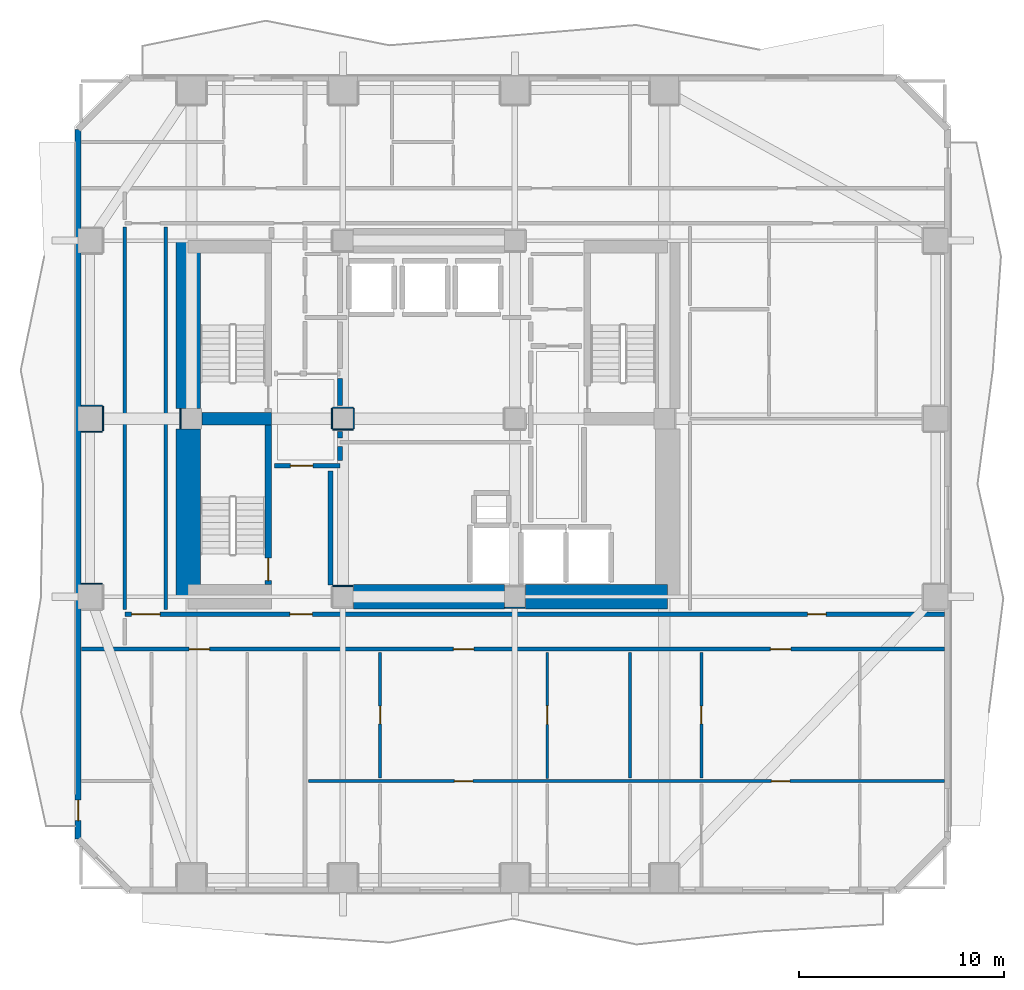
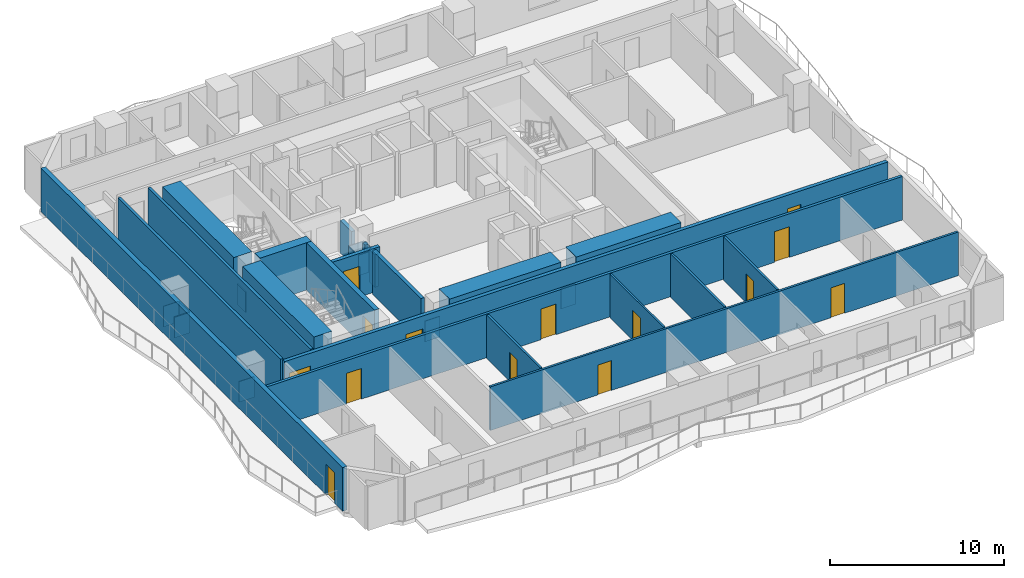
# One storey, part 3 of 10: 32 walls, 14 doors, 14 openings.
"""IFC4 building model written with IfcOpenShell, lengths in metres."""

from ifc_helpers import new_model, si_unit, direction, frame, frame_2d, origin, place, context, subcontext, project, spatial, rectangle, extrude, material, layer, layer_set, type_object, element, fill, save


model = new_model("IFC4")

# Units and contexts
model_context = context("Model", 3, precision=1e-05, world=origin(), true_north=direction((0.0, 1.0)))
body_context = subcontext(model_context, "Body", "Model", "MODEL_VIEW")
ifc_project = project(units=[si_unit("LENGTHUNIT", "METRE"), si_unit("AREAUNIT", "SQUARE_METRE"), si_unit("VOLUMEUNIT", "CUBIC_METRE"), si_unit("PLANEANGLEUNIT", "RADIAN"), si_unit("MASSUNIT", "GRAM", prefix="KILO")], contexts=[model_context])

# Site, building, storey
site_placement = place(None, origin())
site = spatial("IfcSite", under=ifc_project, at=site_placement, CompositionType="ELEMENT")
building_placement = place(site_placement, origin())
building = spatial("IfcBuilding", under=site, at=building_placement, Name="Solanera Arch Residences", CompositionType="ELEMENT")
storey_placement = place(building_placement, frame((0.0, 0.0, 51.8798828125)))
storey = spatial("IfcBuildingStorey", under=building, at=storey_placement, Name="L14", CompositionType="ELEMENT", Elevation=51.8798828125)

# Walls
ifc_material_1 = material(Name="Fire-Rated Gypsum Stud Partition", Category="gypsum")
ifc_layer_1 = layer(ifc_material_1, 0.06005859375)
ifc_layer_set_1 = layer_set([ifc_layer_1], Name="Fire-Rated Gypsum Stud Partition")
wall_type_1 = type_object("IfcWallType", Name="Column Acoustic Furring Wall 60", PredefinedType="PARTITIONING", material=ifc_layer_set_1)
wall_1_placement = place(storey_placement, frame((20.300048828125, 22.531982421875, 0.0), z_axis=(0.0, 0.0, 1.0), x_axis=(1.0, 0.0, 0.0)))
element("IfcWall", 1, at=wall_1_placement, inside=storey, type_object=wall_type_1, Name="L14 Column Furring 1N", PredefinedType="PARTITIONING", context=body_context, shape_type="SweptSolid", body=[
    extrude(rectangle(XDim=0.989990234375, YDim=0.06005859375, at=frame_2d((0.4951171875, 0.0))), origin(), (0.0, 0.0, 1.0), 1.4501953125),
])
for number, where, z_axis, x_axis, name in (
    (2, (28.7099609375, 21.468017578125, 0.0), (0.0, 0.0, 1.0), (1.0, 0.0, 0.0), "L14 Column Furring 2S"),
    (3, (12.867919921875, 30.2099609375, 0.0), (0.0, 0.0, 1.0), (0.0, 1.0, 0.0), "L14 Column Furring 5W"),
):
    element("IfcWall", number, at=place(storey_placement, frame(where, z_axis=z_axis, x_axis=x_axis)), inside=storey, type_object=wall_type_1, Name=name, PredefinedType="PARTITIONING", context=body_context, shape_type="SweptSolid", body=[
        extrude(rectangle(XDim=0.97998046875, YDim=0.06005859375, at=frame_2d((0.489990234375, 0.0))), origin(), (0.0, 0.0, 1.0), 1.4501953125),
    ])
for number, where, z_axis, x_axis, name in (
    (4, (20.300048828125, 30.16796875, 0.0), (0.0, 0.0, 1.0), (1.0, 0.0, 0.0), "L14 Column Furring 7S"),
    (5, (20.300048828125, 31.23193359375, 0.0), (0.0, 0.0, 1.0), (1.0, 0.0, 0.0), "L14 Column Furring 7N"),
    (6, (20.26806640625, 30.199951171875, 0.0), (0.0, 0.0, 1.0), (0.0, 1.0, 0.0), "L14 Column Furring 7W"),
    (7, (21.33203125, 30.199951171875, 0.0), (0.0, 0.0, 1.0), (0.0, 1.0, 0.0), "L14 Column Furring 7E"),
):
    element("IfcWall", number, at=place(storey_placement, frame(where, z_axis=z_axis, x_axis=x_axis)), inside=storey, type_object=wall_type_1, Name=name, PredefinedType="PARTITIONING", context=body_context, shape_type="SweptSolid", body=[
        extrude(rectangle(XDim=1.0, YDim=0.06005859375, at=frame_2d((0.5, 0.0))), origin(), (0.0, 0.0, 1.0), 1.4501953125),
    ])
for number, where, z_axis, x_axis, name in (
    (8, (8.030029296875, 22.632080078125, 0.0), (0.0, 0.0, 1.0), (1.0, 0.0, 0.0), "L14 Column Furring 17N"),
    (9, (8.030029296875, 30.068115234375, 0.0), (0.0, 0.0, 1.0), (1.0, 0.0, 0.0), "L14 Column Furring 19S"),
    (10, (8.030029296875, 31.33203125, 0.0), (0.0, 0.0, 1.0), (1.0, 0.0, 0.0), "L14 Column Furring 19N"),
):
    element("IfcWall", number, at=place(storey_placement, frame(where, z_axis=z_axis, x_axis=x_axis)), inside=storey, type_object=wall_type_1, Name=name, PredefinedType="PARTITIONING", context=body_context, shape_type="SweptSolid", body=[
        extrude(rectangle(XDim=1.02001953125, YDim=0.06005859375, at=frame_2d((0.510009765625, 0.0))), origin(), (0.0, 0.0, 1.0), 1.4501953125),
    ])
wall_2_placement = place(storey_placement, frame((9.08203125, 30.10009765625, 0.0), z_axis=(0.0, 0.0, 1.0), x_axis=(0.0, 1.0, 0.0)))
element("IfcWall", 11, at=wall_2_placement, inside=storey, type_object=wall_type_1, Name="L14 Column Furring 19E", PredefinedType="PARTITIONING", context=body_context, shape_type="SweptSolid", body=[
    extrude(rectangle(XDim=1.199951171875, YDim=0.06005859375, at=frame_2d((0.60009765625, 0.0))), origin(), (0.0, 0.0, 1.0), 1.4501953125),
])
ifc_material_2 = material(Name="Concrete C55/67 (f'c = 60 MPa)", Category="concrete")
ifc_layer_2 = layer(ifc_material_2, 1.199951171875)
ifc_layer_set_2 = layer_set([ifc_layer_2], Name="Concrete C55/67 (f'c = 60 MPa)")
wall_type_2 = type_object("IfcWallType", Name="Core Shear Wall CW-1200", PredefinedType="SHEAR", material=ifc_layer_set_2)
wall_3_placement = place(storey_placement, frame((13.239990234375, 22.0, 0.0), z_axis=(0.0, 0.0, 1.0), x_axis=(0.0, 1.0, 0.0)))
element("IfcWall", 12, at=wall_3_placement, inside=storey, type_object=wall_type_2, Name="L14 West Core South Shear Wall", PredefinedType="SHEAR", context=body_context, shape_type="SweptSolid", body=[
    extrude(rectangle(XDim=8.195068359375, YDim=1.199951171875, at=frame_2d((4.09765625, 0.0))), origin(), (0.0, 0.0, 1.0), 3.320068359375),
])
wall_4_placement = place(storey_placement, frame((13.239990234375, 31.205078125, 0.0), z_axis=(0.0, 0.0, 1.0), x_axis=(0.0, 1.0, 0.0)))
element("IfcWall", 13, at=wall_4_placement, inside=storey, type_object=wall_type_2, Name="L14 West Core North Shear Wall", PredefinedType="SHEAR", context=body_context, shape_type="SweptSolid", body=[
    extrude(rectangle(XDim=8.19482421875, YDim=1.199951171875, at=frame_2d((4.097412109375, 0.0))), origin(), (0.0, 0.0, 1.0), 3.320068359375),
])
wall_5_placement = place(storey_placement, frame((29.705078125, 22.0, 0.0), z_axis=(0.0, 0.0, 1.0), x_axis=(1.0, 0.0, 0.0)))
element("IfcWall", 14, at=wall_5_placement, inside=storey, type_object=wall_type_2, Name="L14 South-East Core Shear Wall", PredefinedType="SHEAR", context=body_context, shape_type="SweptSolid", body=[
    extrude(rectangle(XDim=6.954833984375, YDim=1.199951171875, at=frame_2d((3.4775390625, 0.0))), origin(), (0.0, 0.0, 1.0), 3.320068359375),
])
wall_6_placement = place(storey_placement, frame((21.304931640625, 22.0, 0.0), z_axis=(0.0, 0.0, 1.0), x_axis=(1.0, 0.0, 0.0)))
element("IfcWall", 15, at=wall_6_placement, inside=storey, type_object=wall_type_2, Name="L14 Central South Core Shear Wall", PredefinedType="SHEAR", context=body_context, shape_type="SweptSolid", body=[
    extrude(rectangle(XDim=7.39013671875, YDim=1.199951171875, at=frame_2d((3.695068359375, 0.0))), origin(), (0.0, 0.0, 1.0), 3.320068359375),
])

# Wall, opening, door
ifc_material_3 = material(Name="Concrete C40/50 (f'c = 45 MPa)", Category="concrete")
ifc_layer_3 = layer(ifc_material_3, 0.320068359375)
ifc_layer_set_3 = layer_set([ifc_layer_3], Name="Concrete C40/50 (f'c = 45 MPa)")
wall_type_3 = type_object("IfcWallType", Name="Core Shear Wall CW-320", PredefinedType="SHEAR", material=ifc_layer_set_3)
wall_7_placement = place(storey_placement, frame((17.159912109375, 22.60009765625, 0.0), z_axis=(0.0, 0.0, 1.0), x_axis=(0.0, 1.0, 0.0)))
wall_7 = element("IfcWall", 16, at=wall_7_placement, inside=storey, type_object=wall_type_3, Name="L14 Stair ST-T3 East Shear Wall", PredefinedType="SHEAR", context=body_context, shape_type="SweptSolid", body=[
    extrude(rectangle(XDim=7.7998046875, YDim=0.320068359375, at=frame_2d((3.89990234375, 0.0))), origin(), (0.0, 0.0, 1.0), 3.320068359375),
])
opening_1_placement = place(wall_7_placement, frame((0.18994140625, 0.0, 0.0)))
opening_1 = element("IfcOpeningElement", 17, at=opening_1_placement, cuts=wall_7, Name="Opening DF-01", PredefinedType="OPENING", context=body_context, shape_type="SweptSolid", body=[
    extrude(rectangle(XDim=1.10009765625, YDim=2.14990234375, at=frame_2d((0.550048828125, 1.074951171875))), frame((0.0, 0.169921875, 0.0), z_axis=(0.0, -1.0, 0.0), x_axis=(1.0, 0.0, 0.0)), (0.0, 0.0, 1.0), 0.3401),
])
ifc_material_4 = material(Name="Fire-Rated Architectural Hardwood", Category="wood")
door_type_1 = type_object("IfcDoorType", Name="Stair Exit Fire Door DF-01", OperationType="NOTDEFINED", PredefinedType="DOOR", material=ifc_material_4)
door_1_placement = place(opening_1_placement, origin())
door_1 = element("IfcDoor", 18, at=door_1_placement, inside=storey, type_object=door_type_1, Name="DR-L14-STAIR-ST-T3", OperationType="SINGLE_SWING_RIGHT", OverallHeight=2.14990234375, OverallWidth=1.10009765625, PredefinedType="DOOR", context=body_context, shape_type="SweptSolid", body=[
    extrude(rectangle(XDim=1.10009765625, YDim=2.14990234375, at=frame_2d((0.550048828125, 1.074951171875))), frame((0.0, 0.02490234375, 0.0), z_axis=(0.0, -1.0, 0.0), x_axis=(1.0, 0.0, 0.0)), (0.0, 0.0, 1.0), 0.050048828125),
])
fill(opening_1, door_1)

# Wall
ifc_material_5 = material(Name="Concrete C40/50 (f'c = 45 MPa)", Category="concrete")
ifc_layer_4 = layer(ifc_material_5, 0.60009765625)
ifc_layer_set_4 = layer_set([ifc_layer_4], Name="Concrete C40/50 (f'c = 45 MPa)")
wall_type_4 = type_object("IfcWallType", Name="Core Shear Wall CW-600", PredefinedType="SHEAR", material=ifc_layer_set_4)
wall_8_placement = place(storey_placement, frame((13.905029296875, 30.699951171875, 0.0), z_axis=(0.0, 0.0, 1.0), x_axis=(1.0, 0.0, 0.0)))
element("IfcWall", 19, at=wall_8_placement, inside=storey, type_object=wall_type_4, Name="L14 West Stair Divider Shear Wall", PredefinedType="SHEAR", context=body_context, shape_type="SweptSolid", body=[
    extrude(rectangle(XDim=3.4150390625, YDim=0.60009765625, at=frame_2d((1.70751953125, 0.0))), origin(), (0.0, 0.0, 1.0), 3.320068359375),
])

# Wall, openings, doors
ifc_material_6 = material(Name="Autoclaved Aerated Concrete Blockwork", Category="masonry")
ifc_layer_5 = layer(ifc_material_6, 0.179931640625)
ifc_layer_set_5 = layer_set([ifc_layer_5], Name="Autoclaved Aerated Concrete Blockwork")
wall_type_5 = type_object("IfcWallType", Name="Corridor Fire Partition 180", PredefinedType="PARTITIONING", material=ifc_layer_set_5)
wall_9_placement = place(storey_placement, frame((8.027099609375, 19.449951171875, 0.0), z_axis=(0.0, 0.0, 1.0), x_axis=(1.0, 0.0, 0.0)))
wall_9 = element("IfcWall", 20, at=wall_9_placement, inside=storey, type_object=wall_type_5, Name="L14 Interior Partition H7", PredefinedType="PARTITIONING", context=body_context, shape_type="SweptSolid", body=[
    extrude(rectangle(XDim=42.14599609375, YDim=0.179931640625, at=frame_2d((21.072998046875, 0.0))), origin(), (0.0, 0.0, 1.0), 3.06005859375),
])
opening_2_placement = place(wall_9_placement, frame((5.256103515625, 0.0, 0.0)))
opening_2 = element("IfcOpeningElement", 21, at=opening_2_placement, cuts=wall_9, Name="Opening DI-01", PredefinedType="OPENING", context=body_context, shape_type="SweptSolid", body=[
    extrude(rectangle(XDim=1.0, YDim=2.14990234375, at=frame_2d((0.5, 1.074951171875))), frame((0.0, 0.10009765625, 0.0), z_axis=(0.0, -1.0, 0.0), x_axis=(1.0, 0.0, 0.0)), (0.0, 0.0, 1.0), 0.1999),
])
opening_3_placement = place(wall_9_placement, frame((18.1689453125, 0.0, 0.0)))
opening_3 = element("IfcOpeningElement", 22, at=opening_3_placement, cuts=wall_9, Name="Opening DI-01", PredefinedType="OPENING", context=body_context, shape_type="SweptSolid", body=[
    extrude(rectangle(XDim=1.0, YDim=2.14990234375, at=frame_2d((0.5, 1.074951171875))), frame((0.0, 0.10009765625, 0.0), z_axis=(0.0, -1.0, 0.0), x_axis=(1.0, 0.0, 0.0)), (0.0, 0.0, 1.0), 0.1999),
])
opening_4_placement = place(wall_9_placement, frame((33.653076171875, 0.0, 0.0)))
opening_4 = element("IfcOpeningElement", 23, at=opening_4_placement, cuts=wall_9, Name="Opening DI-01", PredefinedType="OPENING", context=body_context, shape_type="SweptSolid", body=[
    extrude(rectangle(XDim=1.0, YDim=2.14990234375, at=frame_2d((0.5, 1.074951171875))), frame((0.0, 0.10009765625, 0.0), z_axis=(0.0, -1.0, 0.0), x_axis=(1.0, 0.0, 0.0)), (0.0, 0.0, 1.0), 0.1999),
])
ifc_material_7 = material(Name="Fire-Rated Architectural Hardwood", Category="wood")
door_type_2 = type_object("IfcDoorType", Name="Unit Entrance Fire Door DI-01", OperationType="NOTDEFINED", PredefinedType="DOOR", material=ifc_material_7)
door_2_placement = place(opening_2_placement, origin())
door_2 = element("IfcDoor", 24, at=door_2_placement, inside=storey, type_object=door_type_2, Name="DR-L14-IN-015", OperationType="SINGLE_SWING_RIGHT", OverallHeight=2.14990234375, OverallWidth=1.0, PredefinedType="DOOR", context=body_context, shape_type="SweptSolid", body=[
    extrude(rectangle(XDim=1.0, YDim=2.14990234375, at=frame_2d((0.5, 1.074951171875))), frame((0.0, 0.02490234375, 0.0), z_axis=(0.0, -1.0, 0.0), x_axis=(1.0, 0.0, 0.0)), (0.0, 0.0, 1.0), 0.050048828125),
])
fill(opening_2, door_2)
door_3_placement = place(opening_3_placement, origin())
door_3 = element("IfcDoor", 25, at=door_3_placement, inside=storey, type_object=door_type_2, Name="DR-L14-IN-019", OperationType="SINGLE_SWING_RIGHT", OverallHeight=2.14990234375, OverallWidth=1.0, PredefinedType="DOOR", context=body_context, shape_type="SweptSolid", body=[
    extrude(rectangle(XDim=1.0, YDim=2.14990234375, at=frame_2d((0.5, 1.074951171875))), frame((0.0, 0.02490234375, 0.0), z_axis=(0.0, -1.0, 0.0), x_axis=(1.0, 0.0, 0.0)), (0.0, 0.0, 1.0), 0.050048828125),
])
fill(opening_3, door_3)
door_4_placement = place(opening_4_placement, origin())
door_4 = element("IfcDoor", 26, at=door_4_placement, inside=storey, type_object=door_type_2, Name="DR-L14-IN-025", OperationType="SINGLE_SWING_RIGHT", OverallHeight=2.14990234375, OverallWidth=1.0, PredefinedType="DOOR", context=body_context, shape_type="SweptSolid", body=[
    extrude(rectangle(XDim=1.0, YDim=2.14990234375, at=frame_2d((0.5, 1.074951171875))), frame((0.0, 0.02490234375, 0.0), z_axis=(0.0, -1.0, 0.0), x_axis=(1.0, 0.0, 0.0)), (0.0, 0.0, 1.0), 0.050048828125),
])
fill(opening_4, door_4)

# Walls
for number, where, z_axis, x_axis, name in (
    (27, (10.14990234375, 21.367919921875, 0.0), (0.0, 0.0, 1.0), (0.0, 1.0, 0.0), "L14 Interior Partition V9 2"),
    (28, (12.14990234375, 21.367919921875, 0.0), (0.0, 0.0, 1.0), (0.0, 1.0, 0.0), "L14 Interior Partition V10"),
):
    element("IfcWall", number, at=place(storey_placement, frame(where, z_axis=z_axis, x_axis=x_axis)), inside=storey, type_object=wall_type_5, Name=name, PredefinedType="PARTITIONING", context=body_context, shape_type="SweptSolid", body=[
        extrude(rectangle(XDim=18.694091796875, YDim=0.179931640625, at=frame_2d((9.34716796875, 0.0))), origin(), (0.0, 0.0, 1.0), 3.06005859375),
    ])

# Wall, opening, door
ifc_material_8 = material(Name="Precast Concrete C35/45", Category="concrete")
ifc_layer_6 = layer(ifc_material_8, 0.300048828125)
ifc_layer_set_6 = layer_set([ifc_layer_6], Name="Precast Concrete C35/45")
wall_type_6 = type_object("IfcWallType", Name="Exterior Wall Precast Masonry-Frame 300", PredefinedType="STANDARD", material=ifc_layer_set_6)
wall_10_placement = place(storey_placement, frame((7.864990234375, 10.1650390625, 0.0), z_axis=(0.0, 0.0, 1.0), x_axis=(0.0, 1.0, 0.0)))
wall_10 = element("IfcWall", 29, at=wall_10_placement, inside=storey, type_object=wall_type_6, Name="L14 Tower Exterior Precast Masonry-Frame Wall W", PredefinedType="STANDARD", context=body_context, shape_type="SweptSolid", body=[
    extrude(rectangle(XDim=34.669921875, YDim=0.300048828125, at=frame_2d((17.3349609375, 0.0))), origin(), (0.0, 0.0, 1.0), 3.06005859375),
])
opening_5_placement = place(wall_10_placement, frame((0.90087890625, 0.0, 0.0)))
opening_5 = element("IfcOpeningElement", 30, at=opening_5_placement, cuts=wall_10, Name="Opening DB-01", PredefinedType="OPENING", context=body_context, shape_type="SweptSolid", body=[
    extrude(rectangle(XDim=1.0, YDim=2.14990234375, at=frame_2d((0.5, 1.074951171875))), frame((0.0, 0.159912109375, 0.0), z_axis=(0.0, -1.0, 0.0), x_axis=(1.0, 0.0, 0.0)), (0.0, 0.0, 1.0), 0.32),
])
ifc_material_9 = material(Name="Anodised Aluminium Alloy 6063-T6", Category="aluminium")
door_type_3 = type_object("IfcDoorType", Name="Glazed Balcony Swing Door DB-01", OperationType="NOTDEFINED", PredefinedType="DOOR", material=ifc_material_9)
door_5_placement = place(opening_5_placement, origin())
door_5 = element("IfcDoor", 31, at=door_5_placement, inside=storey, type_object=door_type_3, Name="DR-L14-OUT-04", OperationType="SINGLE_SWING_LEFT", OverallHeight=2.14990234375, OverallWidth=1.0, PredefinedType="DOOR", context=body_context, shape_type="SweptSolid", body=[
    extrude(rectangle(XDim=1.0, YDim=2.14990234375, at=frame_2d((0.5, 1.074951171875))), frame((0.0, 0.02490234375, 0.0), z_axis=(0.0, -1.0, 0.0), x_axis=(1.0, 0.0, 0.0)), (0.0, 0.0, 1.0), 0.050048828125),
])
fill(opening_5, door_5)

# Wall, openings, doors
ifc_material_10 = material(Name="Autoclaved Aerated Concrete Blockwork", Category="masonry")
ifc_layer_7 = layer(ifc_material_10, 0.239990234375)
ifc_layer_set_7 = layer_set([ifc_layer_7], Name="Autoclaved Aerated Concrete Blockwork")
wall_type_7 = type_object("IfcWallType", Name="Shaft Wall Fire-Rated 240", PredefinedType="PARTITIONING", material=ifc_layer_set_7)
wall_11_placement = place(storey_placement, frame((10.14990234375, 21.14990234375, 0.0), z_axis=(0.0, 0.0, 1.0), x_axis=(1.0, 0.0, 0.0)))
wall_11 = element("IfcWall", 32, at=wall_11_placement, inside=storey, type_object=wall_type_7, Name="L14 Interior Partition H1", PredefinedType="PARTITIONING", context=body_context, shape_type="SweptSolid", body=[
    extrude(rectangle(XDim=40.023193359375, YDim=0.239990234375, at=frame_2d((20.01171875, 0.0))), origin(), (0.0, 0.0, 1.0), 3.06005859375),
])
opening_6_placement = place(wall_11_placement, frame((8.06005859375, 0.0, 0.0)))
opening_6 = element("IfcOpeningElement", 33, at=opening_6_placement, cuts=wall_11, Name="Opening DF-02", PredefinedType="OPENING", context=body_context, shape_type="SweptSolid", body=[
    extrude(rectangle(XDim=1.10009765625, YDim=2.14990234375, at=frame_2d((0.550048828125, 1.074951171875))), frame((0.0, 0.1298828125, 0.0), z_axis=(0.0, -1.0, 0.0), x_axis=(1.0, 0.0, 0.0)), (0.0, 0.0, 1.0), 0.26),
])
opening_7_placement = place(wall_11_placement, frame((0.323974609375, 0.0, 0.0)))
opening_7 = element("IfcOpeningElement", 34, at=opening_7_placement, cuts=wall_11, Name="Opening DF-03", PredefinedType="OPENING", context=body_context, shape_type="SweptSolid", body=[
    extrude(rectangle(XDim=1.39990234375, YDim=2.14990234375, at=frame_2d((0.699951171875, 1.074951171875))), frame((0.0, 0.1298828125, 0.0), z_axis=(0.0, -1.0, 0.0), x_axis=(1.0, 0.0, 0.0)), (0.0, 0.0, 1.0), 0.26),
])
opening_8_placement = place(wall_11_placement, frame((33.35107421875, 0.0, 0.0)))
opening_8 = element("IfcOpeningElement", 35, at=opening_8_placement, cuts=wall_11, Name="Opening DI-02", PredefinedType="OPENING", context=body_context, shape_type="SweptSolid", body=[
    extrude(rectangle(XDim=0.89990234375, YDim=2.10009765625, at=frame_2d((0.449951171875, 1.050048828125))), frame((0.0, 0.1298828125, 0.0), z_axis=(0.0, -1.0, 0.0), x_axis=(1.0, 0.0, 0.0)), (0.0, 0.0, 1.0), 0.26),
])
ifc_material_11 = material(Name="Fire-Rated Architectural Hardwood", Category="wood")
door_type_4 = type_object("IfcDoorType", Name="Corridor Smoke Door DF-03", OperationType="NOTDEFINED", PredefinedType="DOOR", material=ifc_material_11)
door_6_placement = place(opening_7_placement, origin())
door_6 = element("IfcDoor", 36, at=door_6_placement, inside=storey, type_object=door_type_4, Name="DR-L14-IN-010", OperationType="SINGLE_SWING_LEFT", OverallHeight=2.14990234375, OverallWidth=1.39990234375, PredefinedType="DOOR", context=body_context, shape_type="SweptSolid", body=[
    extrude(rectangle(XDim=1.39990234375, YDim=2.14990234375, at=frame_2d((0.699951171875, 1.074951171875))), frame((0.0, 0.02490234375, 0.0), z_axis=(0.0, -1.0, 0.0), x_axis=(1.0, 0.0, 0.0)), (0.0, 0.0, 1.0), 0.050048828125),
])
fill(opening_7, door_6)
ifc_material_12 = material(Name="Fire-Rated Architectural Hardwood", Category="wood")
door_type_5 = type_object("IfcDoorType", Name="Firefighting Lobby Fire Door DF-02", OperationType="NOTDEFINED", PredefinedType="DOOR", material=ifc_material_12)
door_7_placement = place(opening_6_placement, origin())
door_7 = element("IfcDoor", 37, at=door_7_placement, inside=storey, type_object=door_type_5, Name="DR-L14-IN-008", OperationType="SINGLE_SWING_LEFT", OverallHeight=2.14990234375, OverallWidth=1.10009765625, PredefinedType="DOOR", context=body_context, shape_type="SweptSolid", body=[
    extrude(rectangle(XDim=1.10009765625, YDim=2.14990234375, at=frame_2d((0.550048828125, 1.074951171875))), frame((0.0, 0.02490234375, 0.0), z_axis=(0.0, -1.0, 0.0), x_axis=(1.0, 0.0, 0.0)), (0.0, 0.0, 1.0), 0.050048828125),
])
fill(opening_6, door_7)
ifc_material_13 = material(Name="Fire-Rated Architectural Hardwood", Category="wood")
door_type_6 = type_object("IfcDoorType", Name="Suite Room Swing Door DI-02", OperationType="NOTDEFINED", PredefinedType="DOOR", material=ifc_material_13)
door_8_placement = place(opening_8_placement, origin())
door_8 = element("IfcDoor", 38, at=door_8_placement, inside=storey, type_object=door_type_6, Name="DR-L14-IN-039", OperationType="SINGLE_SWING_RIGHT", OverallHeight=2.10009765625, OverallWidth=0.89990234375, PredefinedType="DOOR", context=body_context, shape_type="SweptSolid", body=[
    extrude(rectangle(XDim=0.89990234375, YDim=2.10009765625, at=frame_2d((0.449951171875, 1.050048828125))), frame((0.0, 0.02490234375, 0.0), z_axis=(0.0, -1.0, 0.0), x_axis=(1.0, 0.0, 0.0)), (0.0, 0.0, 1.0), 0.050048828125),
])
fill(opening_8, door_8)

# Wall, opening, door
wall_12_placement = place(storey_placement, frame((17.449951171875, 28.39990234375, 0.0), z_axis=(0.0, 0.0, 1.0), x_axis=(1.0, 0.0, 0.0)))
wall_12 = element("IfcWall", 39, at=wall_12_placement, inside=storey, type_object=wall_type_7, Name="L14 Interior Partition H3", PredefinedType="PARTITIONING", context=body_context, shape_type="SweptSolid", body=[
    extrude(rectangle(XDim=3.199951171875, YDim=0.239990234375, at=frame_2d((1.60009765625, 0.0))), origin(), (0.0, 0.0, 1.0), 3.06005859375),
])
opening_9_placement = place(wall_12_placement, frame((0.783935546875, 0.0, 0.0)))
opening_9 = element("IfcOpeningElement", 40, at=opening_9_placement, cuts=wall_12, Name="Opening DF-02", PredefinedType="OPENING", context=body_context, shape_type="SweptSolid", body=[
    extrude(rectangle(XDim=1.10009765625, YDim=2.14990234375, at=frame_2d((0.550048828125, 1.074951171875))), frame((0.0, 0.1298828125, 0.0), z_axis=(0.0, -1.0, 0.0), x_axis=(1.0, 0.0, 0.0)), (0.0, 0.0, 1.0), 0.26),
])
door_9_placement = place(opening_9_placement, origin())
door_9 = element("IfcDoor", 41, at=door_9_placement, inside=storey, type_object=door_type_5, Name="DR-L14-IN-004", OperationType="SINGLE_SWING_LEFT", OverallHeight=2.14990234375, OverallWidth=1.10009765625, PredefinedType="DOOR", context=body_context, shape_type="SweptSolid", body=[
    extrude(rectangle(XDim=1.10009765625, YDim=2.14990234375, at=frame_2d((0.550048828125, 1.074951171875))), frame((0.0, 0.02490234375, 0.0), z_axis=(0.0, -1.0, 0.0), x_axis=(1.0, 0.0, 0.0)), (0.0, 0.0, 1.0), 0.050048828125),
])
fill(opening_9, door_9)

# Walls
wall_13_placement = place(storey_placement, frame((20.199951171875, 22.5859375, 0.0), z_axis=(0.0, 0.0, 1.0), x_axis=(0.0, 1.0, 0.0)))
element("IfcWall", 42, at=wall_13_placement, inside=storey, type_object=wall_type_7, Name="L14 Interior Partition V2", PredefinedType="PARTITIONING", context=body_context, shape_type="SweptSolid", body=[
    extrude(rectangle(XDim=5.566162109375, YDim=0.239990234375, at=frame_2d((2.783203125, 0.0))), origin(), (0.0, 0.0, 1.0), 3.06005859375),
])
wall_14_placement = place(storey_placement, frame((20.64990234375, 28.64794921875, 0.0), z_axis=(0.0, 0.0, 1.0), x_axis=(0.0, 1.0, 0.0)))
element("IfcWall", 43, at=wall_14_placement, inside=storey, type_object=wall_type_7, Name="L14 Interior Partition V3 1", PredefinedType="PARTITIONING", context=body_context, shape_type="SweptSolid", body=[
    extrude(rectangle(XDim=0.68408203125, YDim=0.239990234375, at=frame_2d((0.342041015625, 0.0))), origin(), (0.0, 0.0, 1.0), 2.295166015625),
])
wall_15_placement = place(storey_placement, frame((20.64990234375, 29.76806640625, 0.0), z_axis=(0.0, 0.0, 1.0), x_axis=(0.0, 1.0, 0.0)))
element("IfcWall", 44, at=wall_15_placement, inside=storey, type_object=wall_type_7, Name="L14 Interior Partition V3 2", PredefinedType="PARTITIONING", context=body_context, shape_type="SweptSolid", body=[
    extrude(rectangle(XDim=0.300048828125, YDim=0.239990234375, at=frame_2d((0.14990234375, 0.0))), origin(), (0.0, 0.0, 1.0), 2.295166015625),
])
wall_16_placement = place(storey_placement, frame((20.64990234375, 31.33203125, 0.0), z_axis=(0.0, 0.0, 1.0), x_axis=(0.0, 1.0, 0.0)))
element("IfcWall", 45, at=wall_16_placement, inside=storey, type_object=wall_type_7, Name="L14 Interior Partition V3 3", PredefinedType="PARTITIONING", context=body_context, shape_type="SweptSolid", body=[
    extrude(rectangle(XDim=1.320068359375, YDim=0.239990234375, at=frame_2d((0.66015625, 0.0))), origin(), (0.0, 0.0, 1.0), 2.295166015625),
])

# Wall, opening, door
ifc_material_14 = material(Name="Fire-Rated Gypsum Stud Partition", Category="gypsum")
ifc_layer_8 = layer(ifc_material_14, 0.1201171875)
ifc_layer_set_8 = layer_set([ifc_layer_8], Name="Fire-Rated Gypsum Stud Partition")
wall_type_8 = type_object("IfcWallType", Name="Unit Drywall Partition 120", PredefinedType="PARTITIONING", material=ifc_layer_set_8)
wall_17_placement = place(storey_placement, frame((30.780029296875, 13.137939453125, 0.0), z_axis=(0.0, 0.0, 1.0), x_axis=(0.0, 1.0, 0.0)))
wall_17 = element("IfcWall", 46, at=wall_17_placement, inside=storey, type_object=wall_type_8, Name="L14 Interior Partition V25 2", PredefinedType="PARTITIONING", context=body_context, shape_type="SweptSolid", body=[
    extrude(rectangle(XDim=6.154052734375, YDim=0.1201171875, at=frame_2d((3.0771484375, 0.0))), origin(), (0.0, 0.0, 1.0), 3.06005859375),
])
opening_10_placement = place(wall_17_placement, frame((2.636962890625, 0.0, 0.0)))
opening_10 = element("IfcOpeningElement", 47, at=opening_10_placement, cuts=wall_17, Name="Opening DI-02", PredefinedType="OPENING", context=body_context, shape_type="SweptSolid", body=[
    extrude(rectangle(XDim=0.89990234375, YDim=2.10009765625, at=frame_2d((0.449951171875, 1.050048828125))), frame((0.0, 0.070068359375, 0.0), z_axis=(0.0, -1.0, 0.0), x_axis=(1.0, 0.0, 0.0)), (0.0, 0.0, 1.0), 0.1401),
])
door_10_placement = place(opening_10_placement, origin())
door_10 = element("IfcDoor", 48, at=door_10_placement, inside=storey, type_object=door_type_6, Name="DR-L14-IN-023", OperationType="SINGLE_SWING_RIGHT", OverallHeight=2.10009765625, OverallWidth=0.89990234375, PredefinedType="DOOR", context=body_context, shape_type="SweptSolid", body=[
    extrude(rectangle(XDim=0.89990234375, YDim=2.10009765625, at=frame_2d((0.449951171875, 1.050048828125))), frame((0.0, 0.02490234375, 0.0), z_axis=(0.0, -1.0, 0.0), x_axis=(1.0, 0.0, 0.0)), (0.0, 0.0, 1.0), 0.050048828125),
])
fill(opening_10, door_10)

# Wall, openings, doors
ifc_material_15 = material(Name="Autoclaved Aerated Concrete Blockwork", Category="masonry")
ifc_layer_9 = layer(ifc_material_15, 0.139892578125)
ifc_layer_set_9 = layer_set([ifc_layer_9], Name="Autoclaved Aerated Concrete Blockwork")
wall_type_9 = type_object("IfcWallType", Name="Wet-Room Partition 140", PredefinedType="PARTITIONING", material=ifc_layer_set_9)
wall_18_placement = place(storey_placement, frame((19.1201171875, 13.0, 0.0), z_axis=(0.0, 0.0, 1.0), x_axis=(1.0, 0.0, 0.0)))
wall_18 = element("IfcWall", 49, at=wall_18_placement, inside=storey, type_object=wall_type_9, Name="L14 Interior Partition H14", PredefinedType="PARTITIONING", context=body_context, shape_type="SweptSolid", body=[
    extrude(rectangle(XDim=31.052978515625, YDim=0.139892578125, at=frame_2d((15.5263671875, 0.0))), origin(), (0.0, 0.0, 1.0), 3.06005859375),
])
opening_11_placement = place(wall_18_placement, frame((7.1259765625, 0.0, 0.0)))
opening_11 = element("IfcOpeningElement", 50, at=opening_11_placement, cuts=wall_18, Name="Opening DI-02", PredefinedType="OPENING", context=body_context, shape_type="SweptSolid", body=[
    extrude(rectangle(XDim=0.89990234375, YDim=2.10009765625, at=frame_2d((0.449951171875, 1.050048828125))), frame((0.0, 0.079833984375, 0.0), z_axis=(0.0, -1.0, 0.0), x_axis=(1.0, 0.0, 0.0)), (0.0, 0.0, 1.0), 0.1599),
])
opening_12_placement = place(wall_18_placement, frame((22.60888671875, 0.0, 0.0)))
opening_12 = element("IfcOpeningElement", 51, at=opening_12_placement, cuts=wall_18, Name="Opening DI-02", PredefinedType="OPENING", context=body_context, shape_type="SweptSolid", body=[
    extrude(rectangle(XDim=0.89990234375, YDim=2.10009765625, at=frame_2d((0.449951171875, 1.050048828125))), frame((0.0, 0.079833984375, 0.0), z_axis=(0.0, -1.0, 0.0), x_axis=(1.0, 0.0, 0.0)), (0.0, 0.0, 1.0), 0.1599),
])
door_11_placement = place(opening_11_placement, origin())
door_11 = element("IfcDoor", 52, at=door_11_placement, inside=storey, type_object=door_type_6, Name="DR-L14-IN-020", OperationType="SINGLE_SWING_LEFT", OverallHeight=2.10009765625, OverallWidth=0.89990234375, PredefinedType="DOOR", context=body_context, shape_type="SweptSolid", body=[
    extrude(rectangle(XDim=0.89990234375, YDim=2.10009765625, at=frame_2d((0.449951171875, 1.050048828125))), frame((0.0, 0.02490234375, 0.0), z_axis=(0.0, -1.0, 0.0), x_axis=(1.0, 0.0, 0.0)), (0.0, 0.0, 1.0), 0.050048828125),
])
fill(opening_11, door_11)
door_12_placement = place(opening_12_placement, origin())
door_12 = element("IfcDoor", 53, at=door_12_placement, inside=storey, type_object=door_type_6, Name="DR-L14-IN-026", OperationType="SINGLE_SWING_LEFT", OverallHeight=2.10009765625, OverallWidth=0.89990234375, PredefinedType="DOOR", context=body_context, shape_type="SweptSolid", body=[
    extrude(rectangle(XDim=0.89990234375, YDim=2.10009765625, at=frame_2d((0.449951171875, 1.050048828125))), frame((0.0, 0.02490234375, 0.0), z_axis=(0.0, -1.0, 0.0), x_axis=(1.0, 0.0, 0.0)), (0.0, 0.0, 1.0), 0.050048828125),
])
fill(opening_12, door_12)

# Wall, opening, door
wall_19_placement = place(storey_placement, frame((22.612060546875, 13.14794921875, 0.0), z_axis=(0.0, 0.0, 1.0), x_axis=(0.0, 1.0, 0.0)))
wall_19 = element("IfcWall", 54, at=wall_19_placement, inside=storey, type_object=wall_type_9, Name="L14 Interior Partition V16 2", PredefinedType="PARTITIONING", context=body_context, shape_type="SweptSolid", body=[
    extrude(rectangle(XDim=6.134033203125, YDim=0.139892578125, at=frame_2d((3.06689453125, 0.0))), origin(), (0.0, 0.0, 1.0), 3.06005859375),
])
opening_13_placement = place(wall_19_placement, frame((2.64697265625, 0.0, 0.0)))
opening_13 = element("IfcOpeningElement", 55, at=opening_13_placement, cuts=wall_19, Name="Opening DI-05", PredefinedType="OPENING", context=body_context, shape_type="SweptSolid", body=[
    extrude(rectangle(XDim=0.860107421875, YDim=2.02001953125, at=frame_2d((0.43017578125, 1.010009765625))), frame((0.0, 0.079833984375, 0.0), z_axis=(0.0, -1.0, 0.0), x_axis=(1.0, 0.0, 0.0)), (0.0, 0.0, 1.0), 0.1599),
])
ifc_material_16 = material(Name="Fire-Rated Architectural Hardwood", Category="wood")
door_type_7 = type_object("IfcDoorType", Name="Bathroom Swing Door DI-05", OperationType="NOTDEFINED", PredefinedType="DOOR", material=ifc_material_16)
door_13_placement = place(opening_13_placement, origin())
door_13 = element("IfcDoor", 56, at=door_13_placement, inside=storey, type_object=door_type_7, Name="DR-L14-IN-021", OperationType="SINGLE_SWING_RIGHT", OverallHeight=2.02001953125, OverallWidth=0.860107421875, PredefinedType="DOOR", context=body_context, shape_type="SweptSolid", body=[
    extrude(rectangle(XDim=0.860107421875, YDim=2.02001953125, at=frame_2d((0.43017578125, 1.010009765625))), frame((0.0, 0.02490234375, 0.0), z_axis=(0.0, -1.0, 0.0), x_axis=(1.0, 0.0, 0.0)), (0.0, 0.0, 1.0), 0.050048828125),
])
fill(opening_13, door_13)

# Wall
wall_20_placement = place(storey_placement, frame((34.820068359375, 13.14794921875, 0.0), z_axis=(0.0, 0.0, 1.0), x_axis=(0.0, 1.0, 0.0)))
element("IfcWall", 57, at=wall_20_placement, inside=storey, type_object=wall_type_9, Name="L14 Interior Partition V19 2", PredefinedType="PARTITIONING", context=body_context, shape_type="SweptSolid", body=[
    extrude(rectangle(XDim=6.134033203125, YDim=0.139892578125, at=frame_2d((3.06689453125, 0.0))), origin(), (0.0, 0.0, 1.0), 3.06005859375),
])

# Wall, opening, door
wall_21_placement = place(storey_placement, frame((38.31201171875, 13.14794921875, 0.0), z_axis=(0.0, 0.0, 1.0), x_axis=(0.0, 1.0, 0.0)))
wall_21 = element("IfcWall", 58, at=wall_21_placement, inside=storey, type_object=wall_type_9, Name="L14 Interior Partition V22 2", PredefinedType="PARTITIONING", context=body_context, shape_type="SweptSolid", body=[
    extrude(rectangle(XDim=6.134033203125, YDim=0.139892578125, at=frame_2d((3.06689453125, 0.0))), origin(), (0.0, 0.0, 1.0), 3.06005859375),
])
opening_14_placement = place(wall_21_placement, frame((2.64697265625, 0.0, 0.0)))
opening_14 = element("IfcOpeningElement", 59, at=opening_14_placement, cuts=wall_21, Name="Opening DI-05", PredefinedType="OPENING", context=body_context, shape_type="SweptSolid", body=[
    extrude(rectangle(XDim=0.860107421875, YDim=2.02001953125, at=frame_2d((0.43017578125, 1.010009765625))), frame((0.0, 0.079833984375, 0.0), z_axis=(0.0, -1.0, 0.0), x_axis=(1.0, 0.0, 0.0)), (0.0, 0.0, 1.0), 0.1599),
])
door_14_placement = place(opening_14_placement, origin())
door_14 = element("IfcDoor", 60, at=door_14_placement, inside=storey, type_object=door_type_7, Name="DR-L14-IN-027", OperationType="SINGLE_SWING_RIGHT", OverallHeight=2.02001953125, OverallWidth=0.860107421875, PredefinedType="DOOR", context=body_context, shape_type="SweptSolid", body=[
    extrude(rectangle(XDim=0.860107421875, YDim=2.02001953125, at=frame_2d((0.43017578125, 1.010009765625))), frame((0.0, 0.02490234375, 0.0), z_axis=(0.0, -1.0, 0.0), x_axis=(1.0, 0.0, 0.0)), (0.0, 0.0, 1.0), 0.050048828125),
])
fill(opening_14, door_14)

save(model, "model.ifc")
